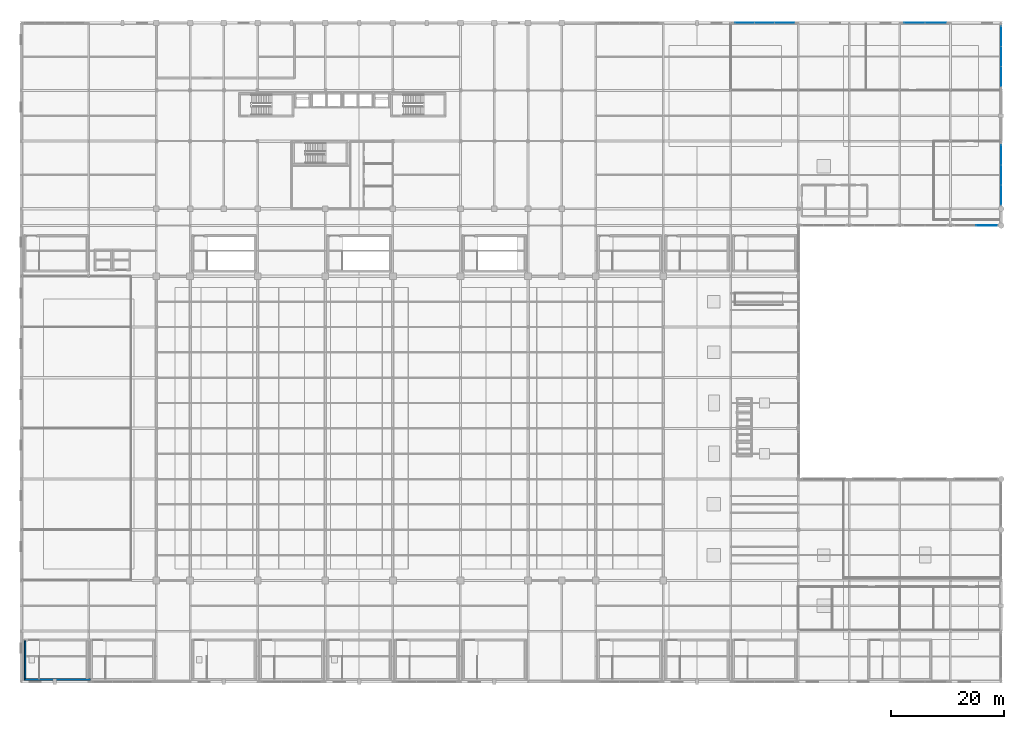
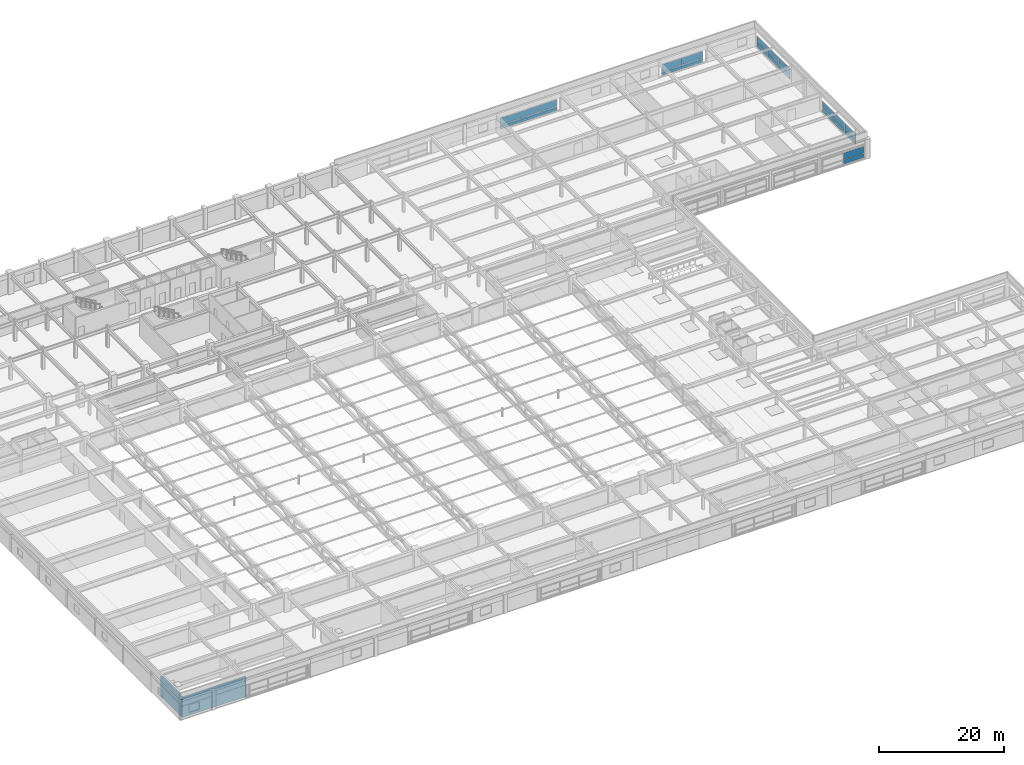
# One storey, part 88 of 108: 24 plates, 2 walls, 5 elements without a shape of their own.
"""IFC4 building model written with IfcOpenShell, lengths in metres."""

from ifc_helpers import new_model, si_unit, direction, frame, frame_2d, origin, origin_2d, place, context, subcontext, project, spatial, rectangle, extrude, material, layer, layer_set, type_object, element, aggregate, save


model = new_model("IFC4")

# Units and contexts
model_context = context("Model", 3, precision=1e-05, world=origin(), true_north=direction((0.0, 1.0)))
body_context = subcontext(model_context, "Body", "Model", "MODEL_VIEW")
ifc_project = project(units=[si_unit("LENGTHUNIT", "METRE"), si_unit("AREAUNIT", "SQUARE_METRE"), si_unit("VOLUMEUNIT", "CUBIC_METRE"), si_unit("PLANEANGLEUNIT", "RADIAN"), si_unit("MASSUNIT", "GRAM", prefix="KILO")], contexts=[model_context])

# Site, building, storey
site_placement = place(None, origin())
site = spatial("IfcSite", under=ifc_project, at=site_placement, CompositionType="ELEMENT")
building_placement = place(site_placement, origin())
building = spatial("IfcBuilding", under=site, at=building_placement, Name="Kaldorvane Square Convention Centre", CompositionType="ELEMENT")
storey_placement = place(building_placement, frame((0.0, 0.0, 23.399993896484375)))
storey = spatial("IfcBuildingStorey", under=building, at=storey_placement, Name="L04", CompositionType="ELEMENT", Elevation=23.399993896484375)

# Curtain wall, plates
ifc_material_1 = material(Name="Anodized Aluminum and Low-E Insulated Glazing", Category="aluminium")
curtain_wall_type_1 = type_object("IfcCurtainWallType", Name="CW-UNI-P42-09", PredefinedType="USERDEFINED", material=ifc_material_1)
curtain_wall_1_placement = place(storey_placement, origin())
curtain_wall_1 = element("IfcCurtainWall", 1, at=curtain_wall_1_placement, inside=storey, type_object=curtain_wall_type_1, Name="Curtain Wall CW-06 (L04)", ObjectType="UNITISED GLAZING", PredefinedType="USERDEFINED")
ifc_layer_1 = layer(ifc_material_1, 0.029998779296875)
ifc_layer_set_1 = layer_set([ifc_layer_1], Name="Anodized Aluminum and Low-E Insulated Glazing")
plate_type_1 = type_object("IfcPlateType", Name="CW-PNL-05", PredefinedType="CURTAIN_PANEL", material=ifc_layer_set_1)
plate_1_placement = place(storey_placement, frame((174.0, 86.4495849609375, 0.2100067138671875), z_axis=(0.0, 0.0, 1.0), x_axis=(0.0, 1.0, 0.0)))
plate_1 = element("IfcPlate", 2, at=plate_1_placement, type_object=plate_type_1, Name="CW-06 panel 1.1", PredefinedType="CURTAIN_PANEL", context=body_context, shape_type="SweptSolid", body=[
    extrude(rectangle(XDim=3.4691619873046875, YDim=0.029998779296875, at=origin_2d()), origin(), (0.0, 0.0, 1.0), 0.80999755859375),
])
plate_2_placement = place(storey_placement, frame((174.0, 86.4495849609375, 1.08001708984375), z_axis=(0.0, 0.0, 1.0), x_axis=(0.0, 1.0, 0.0)))
plate_2 = element("IfcPlate", 3, at=plate_2_placement, type_object=plate_type_1, Name="CW-06 panel 1.2", PredefinedType="CURTAIN_PANEL", context=body_context, shape_type="SweptSolid", body=[
    extrude(rectangle(XDim=3.4691619873046875, YDim=0.029998779296875, at=origin_2d()), origin(), (0.0, 0.0, 1.0), 1.2700042724609375),
])
plate_3_placement = place(storey_placement, frame((174.0, 90.0, 0.2100067138671875), z_axis=(0.0, 0.0, 1.0), x_axis=(0.0, 1.0, 0.0)))
plate_3 = element("IfcPlate", 4, at=plate_3_placement, type_object=plate_type_1, Name="CW-06 panel 2.1", PredefinedType="CURTAIN_PANEL", context=body_context, shape_type="SweptSolid", body=[
    extrude(rectangle(XDim=3.5016632080078125, YDim=0.029998779296875, at=origin_2d()), origin(), (0.0, 0.0, 1.0), 0.80999755859375),
])
plate_4_placement = place(storey_placement, frame((174.0, 90.0, 1.08001708984375), z_axis=(0.0, 0.0, 1.0), x_axis=(0.0, 1.0, 0.0)))
plate_4 = element("IfcPlate", 5, at=plate_4_placement, type_object=plate_type_1, Name="CW-06 panel 2.2", PredefinedType="CURTAIN_PANEL", context=body_context, shape_type="SweptSolid", body=[
    extrude(rectangle(XDim=3.5016632080078125, YDim=0.029998779296875, at=origin_2d()), origin(), (0.0, 0.0, 1.0), 1.2700042724609375),
])
plate_5_placement = place(storey_placement, frame((174.0, 93.5504150390625, 0.2100067138671875), z_axis=(0.0, 0.0, 1.0), x_axis=(0.0, 1.0, 0.0)))
plate_5 = element("IfcPlate", 6, at=plate_5_placement, type_object=plate_type_1, Name="CW-06 panel 3.1", PredefinedType="CURTAIN_PANEL", context=body_context, shape_type="SweptSolid", body=[
    extrude(rectangle(XDim=3.4691619873046875, YDim=0.029998779296875, at=origin_2d()), origin(), (0.0, 0.0, 1.0), 0.80999755859375),
])
plate_6_placement = place(storey_placement, frame((174.0, 93.5504150390625, 1.08001708984375), z_axis=(0.0, 0.0, 1.0), x_axis=(0.0, 1.0, 0.0)))
plate_6 = element("IfcPlate", 7, at=plate_6_placement, type_object=plate_type_1, Name="CW-06 panel 3.2", PredefinedType="CURTAIN_PANEL", context=body_context, shape_type="SweptSolid", body=[
    extrude(rectangle(XDim=3.4691619873046875, YDim=0.029998779296875, at=origin_2d()), origin(), (0.0, 0.0, 1.0), 1.2700042724609375),
])
aggregate(curtain_wall_1, [plate_1, plate_2, plate_3, plate_4, plate_5, plate_6])

curtain_wall_2_placement = place(storey_placement, origin())
curtain_wall_2 = element("IfcCurtainWall", 8, at=curtain_wall_2_placement, inside=storey, type_object=curtain_wall_type_1, Name="Curtain Wall CW-06 (L04)", ObjectType="UNITISED GLAZING", PredefinedType="USERDEFINED")
plate_7_placement = place(storey_placement, frame((174.0, 107.4495849609375, 0.2100067138671875), z_axis=(0.0, 0.0, 1.0), x_axis=(0.0, 1.0, 0.0)))
plate_7 = element("IfcPlate", 9, at=plate_7_placement, type_object=plate_type_1, Name="CW-06 panel 1.1", PredefinedType="CURTAIN_PANEL", context=body_context, shape_type="SweptSolid", body=[
    extrude(rectangle(XDim=3.4691619873046875, YDim=0.029998779296875, at=origin_2d()), origin(), (0.0, 0.0, 1.0), 0.80999755859375),
])
plate_8_placement = place(storey_placement, frame((174.0, 107.4495849609375, 1.08001708984375), z_axis=(0.0, 0.0, 1.0), x_axis=(0.0, 1.0, 0.0)))
plate_8 = element("IfcPlate", 10, at=plate_8_placement, type_object=plate_type_1, Name="CW-06 panel 1.2", PredefinedType="CURTAIN_PANEL", context=body_context, shape_type="SweptSolid", body=[
    extrude(rectangle(XDim=3.4691619873046875, YDim=0.029998779296875, at=origin_2d()), origin(), (0.0, 0.0, 1.0), 1.2700042724609375),
])
plate_9_placement = place(storey_placement, frame((174.0, 111.0, 0.2100067138671875), z_axis=(0.0, 0.0, 1.0), x_axis=(0.0, 1.0, 0.0)))
plate_9 = element("IfcPlate", 11, at=plate_9_placement, type_object=plate_type_1, Name="CW-06 panel 2.1", PredefinedType="CURTAIN_PANEL", context=body_context, shape_type="SweptSolid", body=[
    extrude(rectangle(XDim=3.5016632080078125, YDim=0.029998779296875, at=origin_2d()), origin(), (0.0, 0.0, 1.0), 0.80999755859375),
])
plate_10_placement = place(storey_placement, frame((174.0, 111.0, 1.08001708984375), z_axis=(0.0, 0.0, 1.0), x_axis=(0.0, 1.0, 0.0)))
plate_10 = element("IfcPlate", 12, at=plate_10_placement, type_object=plate_type_1, Name="CW-06 panel 2.2", PredefinedType="CURTAIN_PANEL", context=body_context, shape_type="SweptSolid", body=[
    extrude(rectangle(XDim=3.5016632080078125, YDim=0.029998779296875, at=origin_2d()), origin(), (0.0, 0.0, 1.0), 1.2700042724609375),
])
plate_11_placement = place(storey_placement, frame((174.0, 114.5504150390625, 0.2100067138671875), z_axis=(0.0, 0.0, 1.0), x_axis=(0.0, 1.0, 0.0)))
plate_11 = element("IfcPlate", 13, at=plate_11_placement, type_object=plate_type_1, Name="CW-06 panel 3.1", PredefinedType="CURTAIN_PANEL", context=body_context, shape_type="SweptSolid", body=[
    extrude(rectangle(XDim=3.4691619873046875, YDim=0.029998779296875, at=origin_2d()), origin(), (0.0, 0.0, 1.0), 0.80999755859375),
])
plate_12_placement = place(storey_placement, frame((174.0, 114.5504150390625, 1.08001708984375), z_axis=(0.0, 0.0, 1.0), x_axis=(0.0, 1.0, 0.0)))
plate_12 = element("IfcPlate", 14, at=plate_12_placement, type_object=plate_type_1, Name="CW-06 panel 3.2", PredefinedType="CURTAIN_PANEL", context=body_context, shape_type="SweptSolid", body=[
    extrude(rectangle(XDim=3.4691619873046875, YDim=0.029998779296875, at=origin_2d()), origin(), (0.0, 0.0, 1.0), 1.2700042724609375),
])
aggregate(curtain_wall_2, [plate_7, plate_8, plate_9, plate_10, plate_11, plate_12])

curtain_wall_type_2 = type_object("IfcCurtainWallType", Name="CW-PTS-FC-42", PredefinedType="USERDEFINED", material=ifc_material_1)
curtain_wall_3_placement = place(storey_placement, origin())
curtain_wall_3 = element("IfcCurtainWall", 15, at=curtain_wall_3_placement, inside=storey, type_object=curtain_wall_type_2, Name="Curtain Wall CW-09 (L04)", ObjectType="POINT SUPPORTED GLAZING", PredefinedType="USERDEFINED")
ifc_layer_2 = layer(ifc_material_1, 0.0399932861328125)
ifc_layer_set_2 = layer_set([ifc_layer_2], Name="Anodized Aluminum and Low-E Insulated Glazing")
plate_type_2 = type_object("IfcPlateType", Name="CW-PNL-07", PredefinedType="CURTAIN_PANEL", material=ifc_layer_set_2)
plate_13_placement = place(storey_placement, frame((171.40625, 81.0, 0.214996337890625), z_axis=(0.0, 0.0, 1.0), x_axis=(1.0, 0.0, 0.0)))
plate_13 = element("IfcPlate", 16, at=plate_13_placement, type_object=plate_type_2, Name="CW-09 panel 2.1", PredefinedType="CURTAIN_PANEL", context=body_context, shape_type="SweptSolid", body=[
    extrude(rectangle(XDim=3.7375030517578125, YDim=0.0399932861328125, at=origin_2d()), origin(), (0.0, 0.0, 1.0), 0.8025054931640625),
])
plate_14_placement = place(storey_placement, frame((171.40625, 81.0, 1.08251953125), z_axis=(0.0, 0.0, 1.0), x_axis=(1.0, 0.0, 0.0)))
plate_14 = element("IfcPlate", 17, at=plate_14_placement, type_object=plate_type_2, Name="CW-09 panel 2.2", PredefinedType="CURTAIN_PANEL", context=body_context, shape_type="SweptSolid", body=[
    extrude(rectangle(XDim=3.7375030517578125, YDim=0.0399932861328125, at=origin_2d()), origin(), (0.0, 0.0, 1.0), 1.2624969482421875),
])
aggregate(curtain_wall_3, [plate_13, plate_14])

curtain_wall_4_placement = place(storey_placement, origin())
curtain_wall_4 = element("IfcCurtainWall", 18, at=curtain_wall_4_placement, inside=storey, type_object=curtain_wall_type_1, Name="Curtain Wall CW-06 (L04)", ObjectType="UNITISED GLAZING", PredefinedType="USERDEFINED")
ifc_layer_3 = layer(ifc_material_1, 0.04400634765625)
ifc_layer_set_3 = layer_set([ifc_layer_3], Name="Anodized Aluminum and Low-E Insulated Glazing")
plate_type_3 = type_object("IfcPlateType", Name="CW-PNL-10", PredefinedType="CURTAIN_PANEL", material=ifc_layer_set_3)
plate_15_placement = place(storey_placement, frame((135.51708984375, 117.0, 0.2100067138671875), z_axis=(0.0, 0.0, 1.0), x_axis=(-1.0, 0.0, 0.0)))
plate_15 = element("IfcPlate", 19, at=plate_15_placement, type_object=plate_type_3, Name="CW-06 panel 1.1", PredefinedType="CURTAIN_PANEL", context=body_context, shape_type="SweptSolid", body=[
    extrude(rectangle(XDim=3.4358367919921875, YDim=0.04400634765625, at=origin_2d()), origin(), (0.0, 0.0, 1.0), 0.80999755859375),
])
plate_16_placement = place(storey_placement, frame((135.51708984375, 117.0, 1.08001708984375), z_axis=(0.0, 0.0, 1.0), x_axis=(-1.0, 0.0, 0.0)))
plate_16 = element("IfcPlate", 20, at=plate_16_placement, type_object=plate_type_3, Name="CW-06 panel 1.2", PredefinedType="CURTAIN_PANEL", context=body_context, shape_type="SweptSolid", body=[
    extrude(rectangle(XDim=3.4358367919921875, YDim=0.04400634765625, at=origin_2d()), origin(), (0.0, 0.0, 1.0), 1.2700042724609375),
])
plate_17_placement = place(storey_placement, frame((132.0, 117.0, 0.2100067138671875), z_axis=(0.0, 0.0, 1.0), x_axis=(-1.0, 0.0, 0.0)))
plate_17 = element("IfcPlate", 21, at=plate_17_placement, type_object=plate_type_3, Name="CW-06 panel 2.1", PredefinedType="CURTAIN_PANEL", context=body_context, shape_type="SweptSolid", body=[
    extrude(rectangle(XDim=3.4683380126953125, YDim=0.04400634765625, at=origin_2d()), origin(), (0.0, 0.0, 1.0), 0.80999755859375),
])
plate_18_placement = place(storey_placement, frame((132.0, 117.0, 1.08001708984375), z_axis=(0.0, 0.0, 1.0), x_axis=(-1.0, 0.0, 0.0)))
plate_18 = element("IfcPlate", 22, at=plate_18_placement, type_object=plate_type_3, Name="CW-06 panel 2.2", PredefinedType="CURTAIN_PANEL", context=body_context, shape_type="SweptSolid", body=[
    extrude(rectangle(XDim=3.4683380126953125, YDim=0.04400634765625, at=origin_2d()), origin(), (0.0, 0.0, 1.0), 1.2700042724609375),
])
plate_19_placement = place(storey_placement, frame((128.48291015625, 117.0, 0.2100067138671875), z_axis=(0.0, 0.0, 1.0), x_axis=(-1.0, 0.0, 0.0)))
plate_19 = element("IfcPlate", 23, at=plate_19_placement, type_object=plate_type_3, Name="CW-06 panel 3.1", PredefinedType="CURTAIN_PANEL", context=body_context, shape_type="SweptSolid", body=[
    extrude(rectangle(XDim=3.4358367919921875, YDim=0.04400634765625, at=origin_2d()), origin(), (0.0, 0.0, 1.0), 0.80999755859375),
])
plate_20_placement = place(storey_placement, frame((128.48291015625, 117.0, 1.08001708984375), z_axis=(0.0, 0.0, 1.0), x_axis=(-1.0, 0.0, 0.0)))
plate_20 = element("IfcPlate", 24, at=plate_20_placement, type_object=plate_type_3, Name="CW-06 panel 3.2", PredefinedType="CURTAIN_PANEL", context=body_context, shape_type="SweptSolid", body=[
    extrude(rectangle(XDim=3.4358367919921875, YDim=0.04400634765625, at=origin_2d()), origin(), (0.0, 0.0, 1.0), 1.2700042724609375),
])
aggregate(curtain_wall_4, [plate_15, plate_16, plate_17, plate_18, plate_19, plate_20])

curtain_wall_5_placement = place(storey_placement, origin())
curtain_wall_5 = element("IfcCurtainWall", 25, at=curtain_wall_5_placement, inside=storey, type_object=curtain_wall_type_1, Name="Curtain Wall CW-06 (L04)", ObjectType="UNITISED GLAZING", PredefinedType="USERDEFINED")
plate_21_placement = place(storey_placement, frame((162.3837432861328, 117.0, 0.2100067138671875), z_axis=(0.0, 0.0, 1.0), x_axis=(-1.0, 0.0, 0.0)))
plate_21 = element("IfcPlate", 26, at=plate_21_placement, type_object=plate_type_3, Name="CW-06 panel 1.1", PredefinedType="CURTAIN_PANEL", context=body_context, shape_type="SweptSolid", body=[
    extrude(rectangle(XDim=3.7024993896484375, YDim=0.04400634765625, at=origin_2d()), origin(), (0.0, 0.0, 1.0), 0.80999755859375),
])
plate_22_placement = place(storey_placement, frame((162.3837432861328, 117.0, 1.08001708984375), z_axis=(0.0, 0.0, 1.0), x_axis=(-1.0, 0.0, 0.0)))
plate_22 = element("IfcPlate", 27, at=plate_22_placement, type_object=plate_type_3, Name="CW-06 panel 1.2", PredefinedType="CURTAIN_PANEL", context=body_context, shape_type="SweptSolid", body=[
    extrude(rectangle(XDim=3.7024993896484375, YDim=0.04400634765625, at=origin_2d()), origin(), (0.0, 0.0, 1.0), 1.2700042724609375),
])
plate_23_placement = place(storey_placement, frame((158.6162567138672, 117.0, 0.2100067138671875), z_axis=(0.0, 0.0, 1.0), x_axis=(-1.0, 0.0, 0.0)))
plate_23 = element("IfcPlate", 28, at=plate_23_placement, type_object=plate_type_3, Name="CW-06 panel 2.1", PredefinedType="CURTAIN_PANEL", context=body_context, shape_type="SweptSolid", body=[
    extrude(rectangle(XDim=3.7024993896484375, YDim=0.04400634765625, at=origin_2d()), origin(), (0.0, 0.0, 1.0), 0.80999755859375),
])
plate_24_placement = place(storey_placement, frame((158.6162567138672, 117.0, 1.08001708984375), z_axis=(0.0, 0.0, 1.0), x_axis=(-1.0, 0.0, 0.0)))
plate_24 = element("IfcPlate", 29, at=plate_24_placement, type_object=plate_type_3, Name="CW-06 panel 2.2", PredefinedType="CURTAIN_PANEL", context=body_context, shape_type="SweptSolid", body=[
    extrude(rectangle(XDim=3.7024993896484375, YDim=0.04400634765625, at=origin_2d()), origin(), (0.0, 0.0, 1.0), 1.2700042724609375),
])
aggregate(curtain_wall_5, [plate_21, plate_22, plate_23, plate_24])

# Walls
ifc_material_2 = material(Name="Concrete f'c = 55 MPa (Normalweight)", Category="concrete")
ifc_layer_4 = layer(ifc_material_2, 0.3000030517578125)
ifc_layer_set_4 = layer_set([ifc_layer_4], Name="Concrete f'c = 55 MPa (Normalweight)")
wall_type = type_object("IfcWallType", Name="WL-SHAFT-300", PredefinedType="SHEAR", material=ifc_layer_set_4)
wall_1_placement = place(storey_placement, frame((12.339996337890625, 0.399993896484375, 0.0), z_axis=(0.0, 0.0, 1.0), x_axis=(-1.0, 0.0, 0.0)))
element("IfcWall", 30, at=wall_1_placement, inside=storey, type_object=wall_type, Name="Core Enclosure Wall stair:ST-C1-S (L04)", PredefinedType="SHEAR", context=body_context, shape_type="SweptSolid", body=[
    extrude(rectangle(XDim=11.779998779296875, YDim=0.3000030517578125, at=frame_2d((5.8899993896484375, 0.0))), origin(), (0.0, 0.0, 1.0), 3.850006103515625),
])
wall_2_placement = place(storey_placement, frame((0.7100067138671875, 7.2599945068359375, 0.0), z_axis=(0.0, 0.0, 1.0), x_axis=(0.0, -1.0, 0.0)))
element("IfcWall", 31, at=wall_2_placement, inside=storey, type_object=wall_type, Name="Core Enclosure Wall stair:ST-C1-W (L04)", PredefinedType="SHEAR", context=body_context, shape_type="SweptSolid", body=[
    extrude(rectangle(XDim=6.709991455078125, YDim=0.3000030517578125, at=frame_2d((3.3549957275390625, 0.0))), origin(), (0.0, 0.0, 1.0), 3.850006103515625),
])

save(model, "model.ifc")
